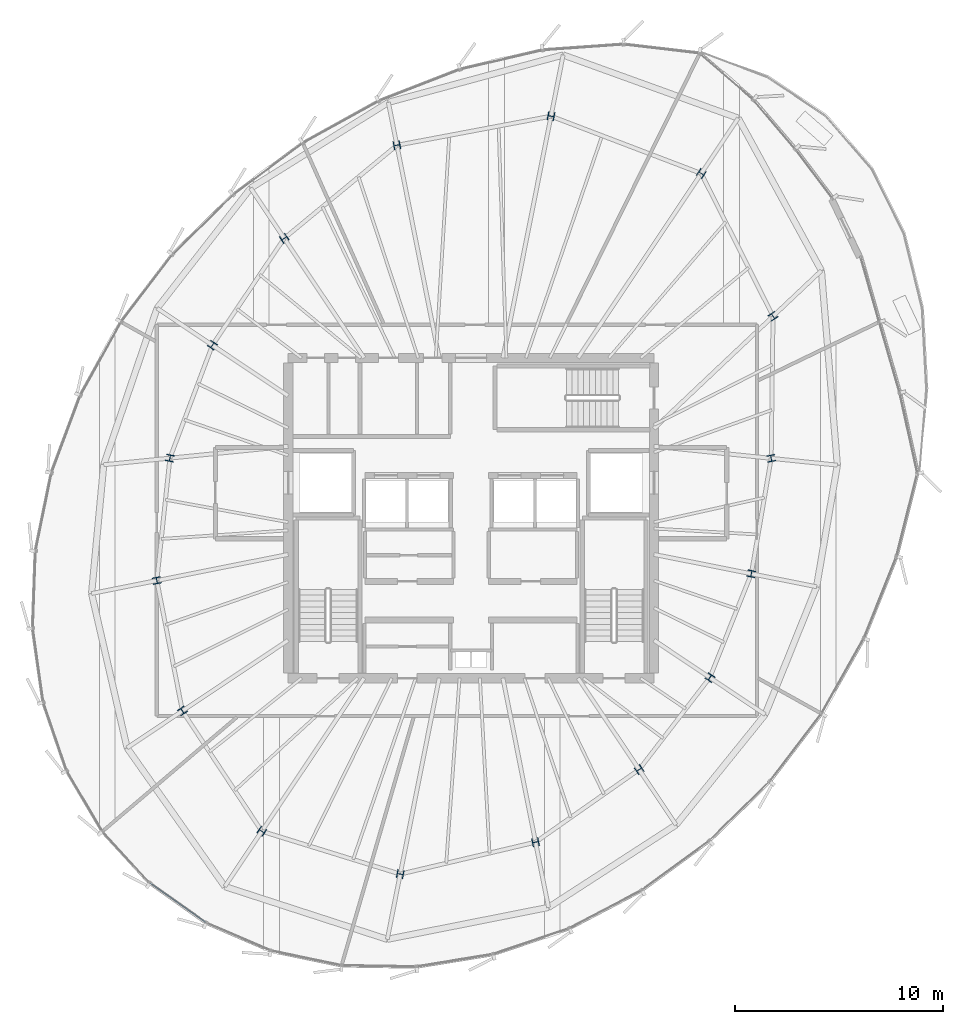
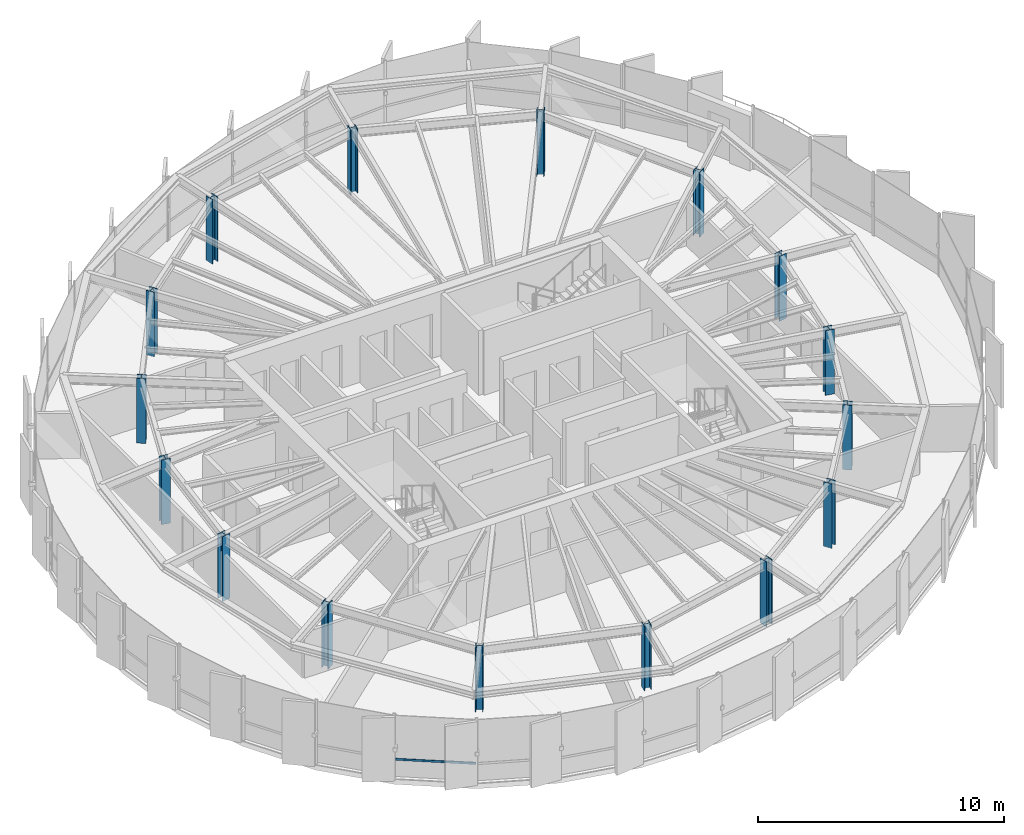
# One storey, part 1 of 34: 16 columns, 1 member, 1 element without a shape of its own.
"""IFC4 building model written with IfcOpenShell, lengths in metres."""

import ifcopenshell
import ifcopenshell.guid

model = None  # the IFC model being written
_history = None  # IfcOwnerHistory: only IFC2X3 demands one
_inside = {}  # id of a spatial element -> (the spatial element, [elements in it])
_under = {}  # id of a project, library or spatial element -> (it, [spatial elements below it])
_declared = {}  # id of a project -> (the project, [libraries it declares])
_typed = {}  # id of a type object -> (the type object, [elements of that type])
_made_of = {}  # id of a material, layer set ... -> (it, [elements and type objects made of it])


def new_model(schema):
    """Start an empty IFC model of exactly this schema.

    Asked for "IFC4X3", IfcOpenShell would pick the latest addendum, in which some entities
    have other attributes; the version numbers below select the first issue.
    IFC2X3 requires an IfcOwnerHistory on every rooted entity: one is made here for all.
    """
    global model, _history
    if schema == "IFC4X3":
        model = ifcopenshell.file(schema_version=(4, 3, 0, 0))
    else:
        model = ifcopenshell.file(schema=schema)
    _inside.clear()
    _under.clear()
    _declared.clear()
    _typed.clear()
    _made_of.clear()
    _history = None
    if model.schema == "IFC2X3":
        org = make("IfcOrganization", Name="unknown")
        user = make(
            "IfcPersonAndOrganization",
            ThePerson=make("IfcPerson", FamilyName="unknown"),
            TheOrganization=org,
        )
        app = make(
            "IfcApplication",
            ApplicationDeveloper=org,
            Version="unknown",
            ApplicationFullName="unknown",
            ApplicationIdentifier="unknown",
        )
        _history = make(
            "IfcOwnerHistory",
            OwningUser=user,
            OwningApplication=app,
            ChangeAction="ADDED",
            CreationDate=0,
        )
    return model


def make(cls, **values):
    """One entity of the class cls with the attributes given. An attribute that is None is left unset."""
    return model.create_entity(
        cls, **{name: value for name, value in values.items() if value is not None}
    )


def rooted(cls, **values):
    """An entity with a GlobalId (a new one), such as an element, a storey or a relation."""
    return make(cls, GlobalId=ifcopenshell.guid.new(), OwnerHistory=_history, **values)


def si_unit(unit_type, name, prefix=None):
    """IfcSIUnit, for example si_unit("LENGTHUNIT", "METRE", prefix="MILLI")."""
    return make("IfcSIUnit", UnitType=unit_type, Prefix=prefix, Name=name)


def assignment(units):
    """IfcUnitAssignment: the units of a project."""
    return None if units is None else make("IfcUnitAssignment", Units=units)


def point(xyz):
    """IfcCartesianPoint."""
    return None if xyz is None else make("IfcCartesianPoint", Coordinates=xyz)


def direction(xyz):
    """IfcDirection."""
    return None if xyz is None else make("IfcDirection", DirectionRatios=xyz)


def frame(location, z_axis=None, x_axis=None):
    """IfcAxis2Placement3D, a coordinate frame: its origin and axes. An axis left out is left unset."""
    return make(
        "IfcAxis2Placement3D",
        Location=point(location),
        Axis=direction(z_axis),
        RefDirection=direction(x_axis),
    )


def frame_2d(location, x_axis=None):
    """IfcAxis2Placement2D, a coordinate frame in the plane: its origin and x axis."""
    return make(
        "IfcAxis2Placement2D", Location=point(location), RefDirection=direction(x_axis)
    )


def origin():
    """The frame at (0, 0, 0) with its axes left unset."""
    return frame((0.0, 0.0, 0.0))


def origin_2d():
    """The frame at (0, 0) in the plane with its x axis left unset."""
    return frame_2d((0.0, 0.0))


def place(relative_to, where):
    """IfcLocalPlacement: puts the frame where relative to a parent placement (None: the world)."""
    return make(
        "IfcLocalPlacement", PlacementRelTo=relative_to, RelativePlacement=where
    )


def context(
    kind, dimensions, precision=None, world=None, true_north=None, identifier=None
):
    """IfcGeometricRepresentationContext, for example the 3D "Model" context."""
    return make(
        "IfcGeometricRepresentationContext",
        ContextIdentifier=identifier,
        ContextType=kind,
        CoordinateSpaceDimension=dimensions,
        Precision=precision,
        WorldCoordinateSystem=world,
        TrueNorth=true_north,
    )


def subcontext(parent, identifier, kind, view, scale=None):
    """IfcGeometricRepresentationSubContext, for example "Body" below "Model"."""
    return make(
        "IfcGeometricRepresentationSubContext",
        ContextIdentifier=identifier,
        ContextType=kind,
        ParentContext=parent,
        TargetScale=scale,
        TargetView=view,
    )


def project(units=None, contexts=None):
    """IfcProject with its units and contexts."""
    return rooted(
        "IfcProject",
        Name="project",
        RepresentationContexts=contexts,
        UnitsInContext=assignment(units),
    )


def spatial(cls, under=None, at=None, **own):
    """A site, building, storey or space (cls), placed at a placement, below another one or the project."""
    s = rooted(cls, ObjectPlacement=at, **own)
    if under is not None:
        _under.setdefault(under.id(), (under, []))[1].append(s)
    return s


def profile(cls, at=None, kind="AREA", **sizes):
    """A parametric profile (cls). Its sizes go by their IFC names, for example OverallWidth=200.0."""
    return make(cls, ProfileType=kind, Position=at, **sizes)


def hollow_rectangle(**sizes):
    """IfcRectangleHollowProfileDef."""
    return profile("IfcRectangleHollowProfileDef", **sizes)


def i_section(**sizes):
    """IfcIShapeProfileDef."""
    return profile("IfcIShapeProfileDef", **sizes)


def extrude(swept, where, along, depth):
    """IfcExtrudedAreaSolid: the profile swept, set in the frame where, extruded along a direction by depth."""
    return make(
        "IfcExtrudedAreaSolid",
        SweptArea=swept,
        Position=where,
        ExtrudedDirection=direction(along),
        Depth=depth,
    )


def shape(context_of_items, identifier, shape_type, items):
    """IfcShapeRepresentation: the items that make up one representation, for example the "Body"."""
    return make(
        "IfcShapeRepresentation",
        ContextOfItems=context_of_items,
        RepresentationIdentifier=identifier,
        RepresentationType=shape_type,
        Items=items,
    )


def source(mapping_origin, context_of_items, identifier, shape_type, items):
    """IfcRepresentationMap: a shape defined once, which mapped items show again and again."""
    return make(
        "IfcRepresentationMap",
        MappingOrigin=mapping_origin,
        MappedRepresentation=shape(context_of_items, identifier, shape_type, items),
    )


def transform(
    local_origin,
    x_axis=None,
    y_axis=None,
    z_axis=None,
    scale=None,
    scale2=None,
    scale3=None,
    uniform=True,
):
    """IfcCartesianTransformationOperator3D, or its non-uniform kind. x_axis, y_axis, z_axis: its Axis1, 2, 3."""
    if uniform:
        return make(
            "IfcCartesianTransformationOperator3D",
            Axis1=direction(x_axis),
            Axis2=direction(y_axis),
            LocalOrigin=point(local_origin),
            Scale=scale,
            Axis3=direction(z_axis),
        )
    return make(
        "IfcCartesianTransformationOperator3DnonUniform",
        Axis1=direction(x_axis),
        Axis2=direction(y_axis),
        LocalOrigin=point(local_origin),
        Scale=scale,
        Axis3=direction(z_axis),
        Scale2=scale2,
        Scale3=scale3,
    )


def mapped(mapping_source, mapping_target):
    """IfcMappedItem: shows the shape of a source again, moved by a transform."""
    return make(
        "IfcMappedItem", MappingSource=mapping_source, MappingTarget=mapping_target
    )


def material(Name=None, Category=None):
    """IfcMaterial."""
    return make("IfcMaterial", Name=Name, Category=Category)


def layer(
    of_material, thickness, ventilated=None, Name=None, Category=None, Priority=None
):
    """IfcMaterialLayer: one layer of a wall or slab, of a material (None: an air gap)."""
    return make(
        "IfcMaterialLayer",
        Material=of_material,
        LayerThickness=thickness,
        IsVentilated=ventilated,
        Name=Name,
        Category=Category,
        Priority=Priority,
    )


def layer_set(layers, Name=None):
    """IfcMaterialLayerSet."""
    return make("IfcMaterialLayerSet", MaterialLayers=layers, LayerSetName=Name)


def material_profile(
    of_material, cross_section, Name=None, Category=None, Priority=None
):
    """IfcMaterialProfile: a cross section and its material."""
    return make(
        "IfcMaterialProfile",
        Name=Name,
        Material=of_material,
        Profile=cross_section,
        Priority=Priority,
        Category=Category,
    )


def profile_set(profiles, Name=None, composite=None):
    """IfcMaterialProfileSet."""
    return make(
        "IfcMaterialProfileSet",
        Name=Name,
        MaterialProfiles=profiles,
        CompositeProfile=composite,
    )


def made_of(thing, what):
    """Note that an element or type object is made of a material, layer set ...; save() writes the relation."""
    if what is not None:
        _made_of.setdefault(what.id(), (what, []))[1].append(thing)
    return thing


def type_object(cls, material=None, **own):
    """A type object (cls), such as IfcWallType, which elements share."""
    return made_of(rooted(cls, **own), material)


def element(
    cls,
    number,
    at=None,
    inside=None,
    cuts=None,
    type_object=None,
    material=None,
    context=None,
    identifier="Body",
    shape_type=None,
    held_by="IfcProductDefinitionShape",
    body=None,
    shapes=None,
    **own,
):
    """One element of the class cls, such as IfcWall. Its Tag is "e" and its number.

    at: its placement. inside: the storey or other place that contains it. cuts: it is an
    opening in that element (IfcRelVoidsElement). A single representation is given by context,
    identifier, shape_type and body (its items); several are given by shapes. held_by: the class
    of the entity that holds the representations. save() writes the other relations.
    """
    e = rooted(cls, Tag="e%d" % number, ObjectPlacement=at, **own)
    if body is not None:
        shapes = [shape(context, identifier, shape_type, body)]
    if shapes is not None:
        e.Representation = make(held_by, Representations=shapes)
    if inside is not None:
        _inside.setdefault(inside.id(), (inside, []))[1].append(e)
    if cuts is not None:
        rooted(
            "IfcRelVoidsElement", RelatingBuildingElement=cuts, RelatedOpeningElement=e
        )
    if type_object is not None:
        _typed.setdefault(type_object.id(), (type_object, []))[1].append(e)
    return made_of(e, material)


def aggregate(whole, parts):
    """IfcRelAggregates: a whole, such as a stair, and the parts it consists of."""
    return rooted("IfcRelAggregates", RelatingObject=whole, RelatedObjects=parts)


def save(model, path):
    """Write the relations noted so far, then the file.

    IfcRelAggregates (storeys below a building ...), IfcRelContainedInSpatialStructure (elements
    in a storey), IfcRelDefinesByType, IfcRelAssociatesMaterial and IfcRelDeclares: one each for
    every whole, place, type object, material and project.
    """
    for whole, parts in _under.values():
        aggregate(whole, parts)
    for where, things in _inside.values():
        rooted(
            "IfcRelContainedInSpatialStructure",
            RelatedElements=things,
            RelatingStructure=where,
        )
    for kind, things in _typed.values():
        rooted("IfcRelDefinesByType", RelatedObjects=things, RelatingType=kind)
    for what, things in _made_of.values():
        rooted("IfcRelAssociatesMaterial", RelatedObjects=things, RelatingMaterial=what)
    for by, libraries in _declared.values():
        rooted("IfcRelDeclares", RelatingContext=by, RelatedDefinitions=libraries)
    model.write(path)


model = new_model("IFC4")

# Units and contexts
model_context = context("Model", 3, precision=1e-05, world=origin(), true_north=direction((0.0, 1.0)))
body_context = subcontext(model_context, "Body", "Model", "MODEL_VIEW")
ifc_project = project(units=[si_unit("LENGTHUNIT", "METRE"), si_unit("AREAUNIT", "SQUARE_METRE"), si_unit("VOLUMEUNIT", "CUBIC_METRE"), si_unit("PLANEANGLEUNIT", "RADIAN"), si_unit("MASSUNIT", "GRAM", prefix="KILO"), si_unit("THERMODYNAMICTEMPERATUREUNIT", "KELVIN")], contexts=[model_context])

# Site, building, storey
site_placement = place(None, origin())
site = spatial("IfcSite", under=ifc_project, at=site_placement, CompositionType="ELEMENT")
building_placement = place(site_placement, origin())
building = spatial("IfcBuilding", under=site, at=building_placement, Name="Kethvar Cultural Tower", CompositionType="ELEMENT")
storey_placement = place(building_placement, frame((0.0, 0.0, 231.85009765625)))
storey = spatial("IfcBuildingStorey", under=building, at=storey_placement, Name="L60", CompositionType="ELEMENT", Elevation=231.85009765625)

# Columns
ifc_material_1 = material(Name="Steel S460M", Category="steel")
ifc_material_profile_1 = material_profile(ifc_material_1, i_section(OverallWidth=0.386962890625, OverallDepth=0.31591796875, WebThickness=0.0185546875, FlangeThickness=0.028076171875, FilletRadius=0.014892578125, at=origin_2d()), Name="Steel S460M — HD400x382")
ifc_profile_set_1 = profile_set([ifc_material_profile_1], Name="Steel S460M — HD400x382")
column_type = type_object("IfcColumnType", Name="COL-HD382", PredefinedType="COLUMN", material=ifc_profile_set_1)
shared_shape_1 = source(origin(), body_context, "Body", "SweptSolid", [
    extrude(i_section(OverallWidth=0.386962890625, OverallDepth=0.31591796875, WebThickness=0.0185546875, FlangeThickness=0.028076171875, FilletRadius=0.014892578125, at=origin_2d()), origin(), (0.0, 0.0, 1.0), 3.2099609375),
])
for number, where, z_axis, x_axis, name in (
    (1, (61.237060546875, 30.671630859375, 0.0), (0.0, 0.0, 1.0), (0.980785280403, 0.195090322016, 0.0), "L60 Mega-Column MC-01"),
    (2, (61.32568359375, 37.505859375, 0.0), (0.0, 0.0, 1.0), (0.831469612303, 0.55557023302, 0.0), "L60 Mega-Column MC-02"),
    (3, (57.875244140625, 44.375, 0.0), (0.0, 0.0, 1.0), (0.55557023302, 0.831469612303, 0.0), "L60 Mega-Column MC-03"),
    (4, (50.645263671875, 47.131591796875, 0.0), (0.0, 0.0, 1.0), (0.195090322016, 0.980785280403, 0.0), "L60 Mega-Column MC-04"),
    (5, (43.23291015625, 45.732421875, 0.0), (0.0, 0.0, 1.0), (-0.195090322016, 0.980785280403, 0.0), "L60 Mega-Column MC-05"),
    (6, (37.8095703125, 41.255126953125, 0.0), (0.0, 0.0, 1.0), (-0.55557023302, 0.831469612303, 0.0), "L60 Mega-Column MC-06"),
    (7, (34.35595703125, 36.114990234375, 0.0), (0.0, 0.0, 1.0), (-0.831469612303, 0.55557023302, 0.0), "L60 Mega-Column MC-07"),
    (8, (32.3125, 30.681884765625, 0.0), (0.0, 0.0, 1.0), (-0.980785280403, 0.195090322016, 0.0), "L60 Mega-Column MC-08"),
    (9, (31.68310546875, 24.79296875, 0.0), (0.0, 0.0, 1.0), (-0.980785280403, -0.195090322016, 0.0), "L60 Mega-Column MC-09"),
    (10, (32.912841796875, 18.52099609375, 0.0), (0.0, 0.0, 1.0), (-0.831469612303, -0.55557023302, 0.0), "L60 Mega-Column MC-10"),
    (11, (36.731201171875, 12.73095703125, 0.0), (0.0, 0.0, 1.0), (-0.55557023302, -0.831469612303, 0.0), "L60 Mega-Column MC-11"),
    (12, (43.392822265625, 10.67138671875, 0.0), (0.0, 0.0, 1.0), (-0.195090322016, -0.980785280403, 0.0), "L60 Mega-Column MC-12"),
    (13, (49.901611328125, 12.206787109375, 0.0), (0.0, 0.0, 1.0), (0.195090322016, -0.980785280403, 0.0), "L60 Mega-Column MC-13"),
    (14, (54.885009765625, 15.7001953125, 0.0), (0.0, 0.0, 1.0), (0.55557023302, -0.831469612303, 0.0), "L60 Mega-Column MC-14"),
    (15, (58.287109375, 20.12451171875, 0.0), (0.0, 0.0, 1.0), (0.831469612303, -0.55557023302, 0.0), "L60 Mega-Column MC-15"),
    (16, (60.28369140625, 25.117919921875, 0.0), (0.0, 0.0, 1.0), (0.980785280403, -0.195090322016, 0.0), "L60 Mega-Column MC-16"),
):
    element("IfcColumn", number, at=place(storey_placement, frame(where, z_axis=z_axis, x_axis=x_axis)), inside=storey, type_object=column_type, Name=name, PredefinedType="COLUMN", context=body_context, shape_type="MappedRepresentation", body=[
        mapped(shared_shape_1, transform((0.0, 0.0, 0.0), scale=1.0)),
    ])

# Curtain wall, member
ifc_material_2 = material(Name="Aluminium 6063-T6", Category="aluminium")
ifc_layer = layer(ifc_material_2, 0.179931640625, Name="Aluminium 6063-T6", Category="aluminium")
ifc_layer_set = layer_set([ifc_layer], Name="Aluminium 6063-T6 (180 mm)")
curtain_wall_type = type_object("IfcCurtainWallType", Name="CW-SYS-05-Z56", PredefinedType="NOTDEFINED", material=ifc_layer_set)
curtain_wall_placement = place(storey_placement, origin())
curtain_wall = element("IfcCurtainWall", 17, at=curtain_wall_placement, inside=storey, type_object=curtain_wall_type, Name="L60 Curtain Wall Run 04", PredefinedType="NOTDEFINED")
ifc_material_profile_2 = material_profile(ifc_material_2, hollow_rectangle(XDim=0.050048828125, YDim=0.10009765625, WallThickness=0.00390625, at=origin_2d()), Name="Aluminium 6063-T6 — RHS100x50x4")
ifc_profile_set_2 = profile_set([ifc_material_profile_2], Name="Aluminium 6063-T6 — RHS100x50x4")
member_type = type_object("IfcMemberType", Name="CW-SYS-05-Z56-TRN", PredefinedType="USERDEFINED", material=ifc_profile_set_2)
shared_shape_2 = source(origin(), body_context, "Body", "SweptSolid", [
    extrude(hollow_rectangle(XDim=0.050048828125, YDim=0.10009765625, WallThickness=0.00390625, at=origin_2d()), origin(), (0.0, 0.0, 1.0), 3.283203125),
])
member_placement = place(storey_placement, frame((31.3583984375, 10.241455078125, 0.949951171875), z_axis=(0.816033249541, -0.578004961608, 0.0), x_axis=(0.578004961608, 0.816033249541, 0.0)))
member = element("IfcMember", 18, at=member_placement, type_object=member_type, Name="CW-L60-R04 Transom 1", ObjectType="TRANSOM", PredefinedType="USERDEFINED", context=body_context, shape_type="MappedRepresentation", body=[
    mapped(shared_shape_2, transform((0.0, 0.0, 0.0), scale=1.0)),
])
aggregate(curtain_wall, [member])

save(model, "model.ifc")
